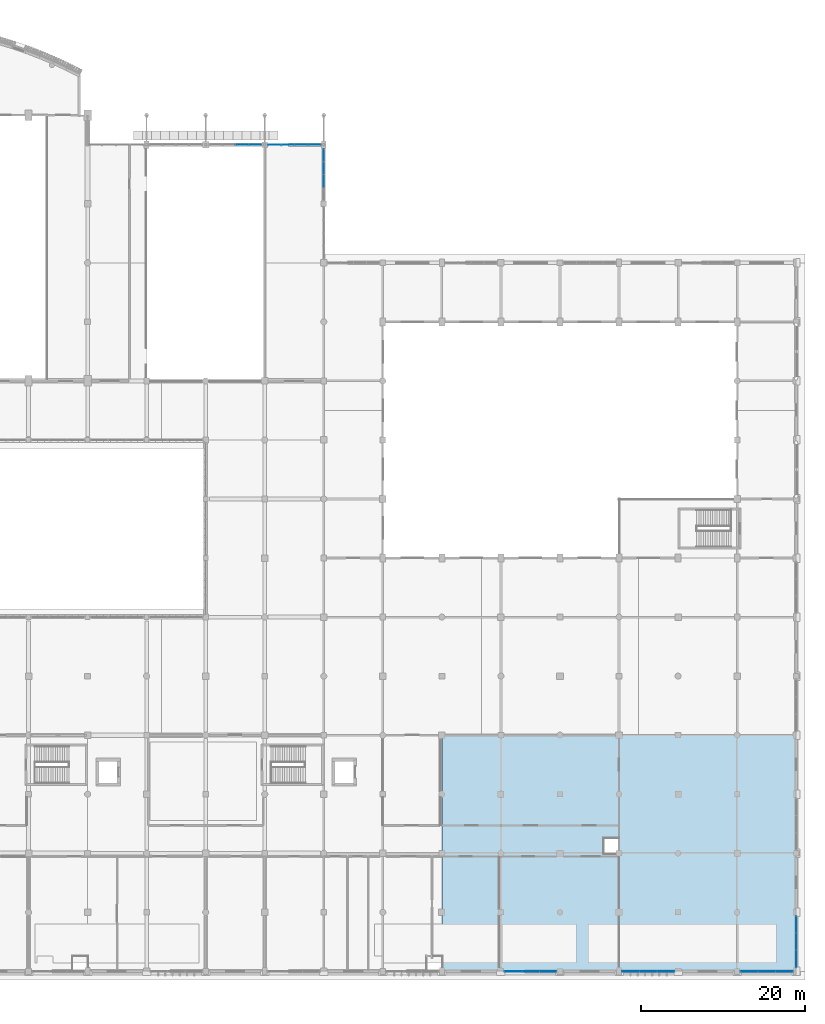
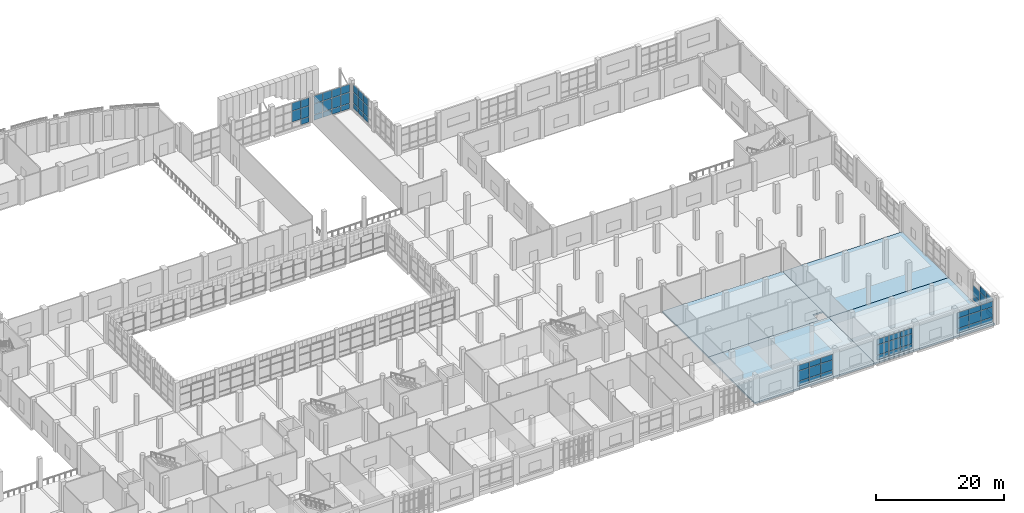
# One storey, part 42 of 80: 61 plates, 4 slabs, 7 elements without a shape of their own.
"""IFC4 building model written with IfcOpenShell, lengths in metres."""

from ifc_helpers import new_model, si_unit, direction, frame, origin, origin_2d, place, context, subcontext, project, spatial, polyline, rectangle, outline, extrude, material, layer, layer_set, type_object, element, aggregate, save


model = new_model("IFC4")

# Units and contexts
model_context = context("Model", 3, precision=1e-05, world=origin(), true_north=direction((0.0, 1.0)))
body_context = subcontext(model_context, "Body", "Model", "MODEL_VIEW")
ifc_project = project(units=[si_unit("LENGTHUNIT", "METRE"), si_unit("AREAUNIT", "SQUARE_METRE"), si_unit("VOLUMEUNIT", "CUBIC_METRE"), si_unit("PLANEANGLEUNIT", "RADIAN"), si_unit("MASSUNIT", "GRAM", prefix="KILO")], contexts=[model_context])

# Site, building, storey
site_placement = place(None, origin())
site = spatial("IfcSite", under=ifc_project, at=site_placement, CompositionType="ELEMENT")
building_placement = place(site_placement, origin())
building = spatial("IfcBuilding", under=site, at=building_placement, Name="Sardonyx Promenade Sports Hall", CompositionType="ELEMENT")
storey_placement = place(building_placement, frame((0.0, 0.0, 5.60009765625)))
storey = spatial("IfcBuildingStorey", under=building, at=storey_placement, Name="L01", CompositionType="ELEMENT", Elevation=5.60009765625)

# Curtain wall, plates
ifc_material_1 = material(Name="Aluminium 6063-T6", Category="aluminium")
curtain_wall_type_1 = type_object("IfcCurtainWallType", Name="CW_South_L01_640", PredefinedType="USERDEFINED", material=ifc_material_1)
curtain_wall_1_placement = place(storey_placement, origin())
curtain_wall_1 = element("IfcCurtainWall", 1, at=curtain_wall_1_placement, inside=storey, type_object=curtain_wall_type_1, Name="Curtain wall CW08 cw:L01:017", ObjectType="CURTAIN WALL", PredefinedType="USERDEFINED")
ifc_material_2 = material(Name="Double-glazed solar low-E IGU 28 mm", Category="glass")
ifc_layer_1 = layer(ifc_material_2, 0.028076171875)
ifc_layer_set_1 = layer_set([ifc_layer_1], Name="CW_Pan_Glz_28")
plate_type_1 = type_object("IfcPlateType", Name="CW_Pan_Glz_28", PredefinedType="CURTAIN_PANEL", material=ifc_layer_set_1)
plate_1_placement = place(storey_placement, frame((164.171630859375, 0.0, 0.419921875), z_axis=(0.0, 0.0, 1.0), x_axis=(-1.0, 0.0, 0.0)))
plate_1 = element("IfcPlate", 2, at=plate_1_placement, type_object=plate_type_1, Name="Curtain panel CP01 cw:L01:017 #1", PredefinedType="CURTAIN_PANEL", context=body_context, shape_type="SweptSolid", body=[
    extrude(rectangle(XDim=2.07666015625, YDim=0.028076171875, at=origin_2d()), origin(), (0.0, 0.0, 1.0), 0.89501953125),
])
plate_2_placement = place(storey_placement, frame((164.171630859375, 0.0, 1.385009765625), z_axis=(0.0, 0.0, 1.0), x_axis=(-1.0, 0.0, 0.0)))
plate_2 = element("IfcPlate", 3, at=plate_2_placement, type_object=plate_type_1, Name="Curtain panel CP01 cw:L01:017 #2", PredefinedType="CURTAIN_PANEL", context=body_context, shape_type="SweptSolid", body=[
    extrude(rectangle(XDim=2.07666015625, YDim=0.028076171875, at=origin_2d()), origin(), (0.0, 0.0, 1.0), 1.8798828125),
])
plate_3_placement = place(storey_placement, frame((164.171630859375, 0.0, 3.3349609375), z_axis=(0.0, 0.0, 1.0), x_axis=(-1.0, 0.0, 0.0)))
plate_3 = element("IfcPlate", 4, at=plate_3_placement, type_object=plate_type_1, Name="Curtain panel CP01 cw:L01:017 #3", PredefinedType="CURTAIN_PANEL", context=body_context, shape_type="SweptSolid", body=[
    extrude(rectangle(XDim=2.07666015625, YDim=0.028076171875, at=origin_2d()), origin(), (0.0, 0.0, 1.0), 1.044921875),
])
plate_4_placement = place(storey_placement, frame((162.02490234375, 0.0, 0.419921875), z_axis=(0.0, 0.0, 1.0), x_axis=(-1.0, 0.0, 0.0)))
plate_4 = element("IfcPlate", 5, at=plate_4_placement, type_object=plate_type_1, Name="Curtain panel CP01 cw:L01:017 #4", PredefinedType="CURTAIN_PANEL", context=body_context, shape_type="SweptSolid", body=[
    extrude(rectangle(XDim=2.07666015625, YDim=0.028076171875, at=origin_2d()), origin(), (0.0, 0.0, 1.0), 0.89501953125),
])
plate_5_placement = place(storey_placement, frame((162.02490234375, 0.0, 1.385009765625), z_axis=(0.0, 0.0, 1.0), x_axis=(-1.0, 0.0, 0.0)))
plate_5 = element("IfcPlate", 6, at=plate_5_placement, type_object=plate_type_1, Name="Curtain panel CP01 cw:L01:017 #5", PredefinedType="CURTAIN_PANEL", context=body_context, shape_type="SweptSolid", body=[
    extrude(rectangle(XDim=2.07666015625, YDim=0.028076171875, at=origin_2d()), origin(), (0.0, 0.0, 1.0), 1.8798828125),
])
plate_6_placement = place(storey_placement, frame((162.02490234375, 0.0, 3.3349609375), z_axis=(0.0, 0.0, 1.0), x_axis=(-1.0, 0.0, 0.0)))
plate_6 = element("IfcPlate", 7, at=plate_6_placement, type_object=plate_type_1, Name="Curtain panel CP01 cw:L01:017 #6", PredefinedType="CURTAIN_PANEL", context=body_context, shape_type="SweptSolid", body=[
    extrude(rectangle(XDim=2.07666015625, YDim=0.028076171875, at=origin_2d()), origin(), (0.0, 0.0, 1.0), 1.044921875),
])
plate_7_placement = place(storey_placement, frame((159.87841796875, 0.0, 0.419921875), z_axis=(0.0, 0.0, 1.0), x_axis=(-1.0, 0.0, 0.0)))
plate_7 = element("IfcPlate", 8, at=plate_7_placement, type_object=plate_type_1, Name="Curtain panel CP01 cw:L01:017 #7", PredefinedType="CURTAIN_PANEL", context=body_context, shape_type="SweptSolid", body=[
    extrude(rectangle(XDim=2.07666015625, YDim=0.028076171875, at=origin_2d()), origin(), (0.0, 0.0, 1.0), 0.89501953125),
])
plate_8_placement = place(storey_placement, frame((159.87841796875, 0.0, 1.385009765625), z_axis=(0.0, 0.0, 1.0), x_axis=(-1.0, 0.0, 0.0)))
plate_8 = element("IfcPlate", 9, at=plate_8_placement, type_object=plate_type_1, Name="Curtain panel CP01 cw:L01:017 #8", PredefinedType="CURTAIN_PANEL", context=body_context, shape_type="SweptSolid", body=[
    extrude(rectangle(XDim=2.07666015625, YDim=0.028076171875, at=origin_2d()), origin(), (0.0, 0.0, 1.0), 1.8798828125),
])
plate_9_placement = place(storey_placement, frame((159.87841796875, 0.0, 3.3349609375), z_axis=(0.0, 0.0, 1.0), x_axis=(-1.0, 0.0, 0.0)))
plate_9 = element("IfcPlate", 10, at=plate_9_placement, type_object=plate_type_1, Name="Curtain panel CP01 cw:L01:017 #9", PredefinedType="CURTAIN_PANEL", context=body_context, shape_type="SweptSolid", body=[
    extrude(rectangle(XDim=2.07666015625, YDim=0.028076171875, at=origin_2d()), origin(), (0.0, 0.0, 1.0), 1.044921875),
])
aggregate(curtain_wall_1, [plate_1, plate_2, plate_3, plate_4, plate_5, plate_6, plate_7, plate_8, plate_9])

curtain_wall_2_placement = place(storey_placement, origin())
curtain_wall_2 = element("IfcCurtainWall", 11, at=curtain_wall_2_placement, inside=storey, type_object=curtain_wall_type_1, Name="Curtain wall CW08 cw:L01:018", ObjectType="CURTAIN WALL", PredefinedType="USERDEFINED")
plate_10_placement = place(storey_placement, frame((149.679931640625, 0.0, 0.419921875), z_axis=(0.0, 0.0, 1.0), x_axis=(-1.0, 0.0, 0.0)))
plate_10 = element("IfcPlate", 12, at=plate_10_placement, type_object=plate_type_1, Name="Curtain panel CP01 cw:L01:018 #1", PredefinedType="CURTAIN_PANEL", context=body_context, shape_type="SweptSolid", body=[
    extrude(rectangle(XDim=2.06005859375, YDim=0.028076171875, at=origin_2d()), origin(), (0.0, 0.0, 1.0), 0.89501953125),
])
plate_11_placement = place(storey_placement, frame((149.679931640625, 0.0, 1.385009765625), z_axis=(0.0, 0.0, 1.0), x_axis=(-1.0, 0.0, 0.0)))
plate_11 = element("IfcPlate", 13, at=plate_11_placement, type_object=plate_type_1, Name="Curtain panel CP01 cw:L01:018 #2", PredefinedType="CURTAIN_PANEL", context=body_context, shape_type="SweptSolid", body=[
    extrude(rectangle(XDim=2.06005859375, YDim=0.028076171875, at=origin_2d()), origin(), (0.0, 0.0, 1.0), 1.8798828125),
])
plate_12_placement = place(storey_placement, frame((149.679931640625, 0.0, 3.3349609375), z_axis=(0.0, 0.0, 1.0), x_axis=(-1.0, 0.0, 0.0)))
plate_12 = element("IfcPlate", 14, at=plate_12_placement, type_object=plate_type_1, Name="Curtain panel CP01 cw:L01:018 #3", PredefinedType="CURTAIN_PANEL", context=body_context, shape_type="SweptSolid", body=[
    extrude(rectangle(XDim=2.06005859375, YDim=0.028076171875, at=origin_2d()), origin(), (0.0, 0.0, 1.0), 1.044921875),
])
plate_13_placement = place(storey_placement, frame((147.550048828125, 0.0, 0.419921875), z_axis=(0.0, 0.0, 1.0), x_axis=(-1.0, 0.0, 0.0)))
plate_13 = element("IfcPlate", 15, at=plate_13_placement, type_object=plate_type_1, Name="Curtain panel CP01 cw:L01:018 #4", PredefinedType="CURTAIN_PANEL", context=body_context, shape_type="SweptSolid", body=[
    extrude(rectangle(XDim=2.06005859375, YDim=0.028076171875, at=origin_2d()), origin(), (0.0, 0.0, 1.0), 0.89501953125),
])
plate_14_placement = place(storey_placement, frame((147.550048828125, 0.0, 1.385009765625), z_axis=(0.0, 0.0, 1.0), x_axis=(-1.0, 0.0, 0.0)))
plate_14 = element("IfcPlate", 16, at=plate_14_placement, type_object=plate_type_1, Name="Curtain panel CP01 cw:L01:018 #5", PredefinedType="CURTAIN_PANEL", context=body_context, shape_type="SweptSolid", body=[
    extrude(rectangle(XDim=2.06005859375, YDim=0.028076171875, at=origin_2d()), origin(), (0.0, 0.0, 1.0), 1.8798828125),
])
plate_15_placement = place(storey_placement, frame((147.550048828125, 0.0, 3.3349609375), z_axis=(0.0, 0.0, 1.0), x_axis=(-1.0, 0.0, 0.0)))
plate_15 = element("IfcPlate", 17, at=plate_15_placement, type_object=plate_type_1, Name="Curtain panel CP01 cw:L01:018 #6", PredefinedType="CURTAIN_PANEL", context=body_context, shape_type="SweptSolid", body=[
    extrude(rectangle(XDim=2.06005859375, YDim=0.028076171875, at=origin_2d()), origin(), (0.0, 0.0, 1.0), 1.044921875),
])
plate_16_placement = place(storey_placement, frame((145.419921875, 0.0, 0.419921875), z_axis=(0.0, 0.0, 1.0), x_axis=(-1.0, 0.0, 0.0)))
plate_16 = element("IfcPlate", 18, at=plate_16_placement, type_object=plate_type_1, Name="Curtain panel CP01 cw:L01:018 #7", PredefinedType="CURTAIN_PANEL", context=body_context, shape_type="SweptSolid", body=[
    extrude(rectangle(XDim=2.06005859375, YDim=0.028076171875, at=origin_2d()), origin(), (0.0, 0.0, 1.0), 0.89501953125),
])
plate_17_placement = place(storey_placement, frame((145.419921875, 0.0, 1.385009765625), z_axis=(0.0, 0.0, 1.0), x_axis=(-1.0, 0.0, 0.0)))
plate_17 = element("IfcPlate", 19, at=plate_17_placement, type_object=plate_type_1, Name="Curtain panel CP01 cw:L01:018 #8", PredefinedType="CURTAIN_PANEL", context=body_context, shape_type="SweptSolid", body=[
    extrude(rectangle(XDim=2.06005859375, YDim=0.028076171875, at=origin_2d()), origin(), (0.0, 0.0, 1.0), 1.8798828125),
])
plate_18_placement = place(storey_placement, frame((145.419921875, 0.0, 3.3349609375), z_axis=(0.0, 0.0, 1.0), x_axis=(-1.0, 0.0, 0.0)))
plate_18 = element("IfcPlate", 20, at=plate_18_placement, type_object=plate_type_1, Name="Curtain panel CP01 cw:L01:018 #9", PredefinedType="CURTAIN_PANEL", context=body_context, shape_type="SweptSolid", body=[
    extrude(rectangle(XDim=2.06005859375, YDim=0.028076171875, at=origin_2d()), origin(), (0.0, 0.0, 1.0), 1.044921875),
])
aggregate(curtain_wall_2, [plate_10, plate_11, plate_12, plate_13, plate_14, plate_15, plate_16, plate_17, plate_18])

curtain_wall_3_placement = place(storey_placement, origin())
curtain_wall_3 = element("IfcCurtainWall", 21, at=curtain_wall_3_placement, inside=storey, type_object=curtain_wall_type_1, Name="Curtain wall CW08 cw:L01:019", ObjectType="CURTAIN WALL", PredefinedType="USERDEFINED")
plate_19_placement = place(storey_placement, frame((135.33837890625, 0.0, 0.419921875), z_axis=(0.0, 0.0, 1.0), x_axis=(-1.0, 0.0, 0.0)))
plate_19 = element("IfcPlate", 22, at=plate_19_placement, type_object=plate_type_1, Name="Curtain panel CP01 cw:L01:019 #1", PredefinedType="CURTAIN_PANEL", context=body_context, shape_type="SweptSolid", body=[
    extrude(rectangle(XDim=2.043212890625, YDim=0.028076171875, at=origin_2d()), origin(), (0.0, 0.0, 1.0), 0.89501953125),
])
plate_20_placement = place(storey_placement, frame((135.33837890625, 0.0, 1.385009765625), z_axis=(0.0, 0.0, 1.0), x_axis=(-1.0, 0.0, 0.0)))
plate_20 = element("IfcPlate", 23, at=plate_20_placement, type_object=plate_type_1, Name="Curtain panel CP01 cw:L01:019 #2", PredefinedType="CURTAIN_PANEL", context=body_context, shape_type="SweptSolid", body=[
    extrude(rectangle(XDim=2.043212890625, YDim=0.028076171875, at=origin_2d()), origin(), (0.0, 0.0, 1.0), 1.8798828125),
])
plate_21_placement = place(storey_placement, frame((135.33837890625, 0.0, 3.3349609375), z_axis=(0.0, 0.0, 1.0), x_axis=(-1.0, 0.0, 0.0)))
plate_21 = element("IfcPlate", 24, at=plate_21_placement, type_object=plate_type_1, Name="Curtain panel CP01 cw:L01:019 #3", PredefinedType="CURTAIN_PANEL", context=body_context, shape_type="SweptSolid", body=[
    extrude(rectangle(XDim=2.043212890625, YDim=0.028076171875, at=origin_2d()), origin(), (0.0, 0.0, 1.0), 1.044921875),
])
plate_22_placement = place(storey_placement, frame((133.22509765625, 0.0, 0.419921875), z_axis=(0.0, 0.0, 1.0), x_axis=(-1.0, 0.0, 0.0)))
plate_22 = element("IfcPlate", 25, at=plate_22_placement, type_object=plate_type_1, Name="Curtain panel CP01 cw:L01:019 #4", PredefinedType="CURTAIN_PANEL", context=body_context, shape_type="SweptSolid", body=[
    extrude(rectangle(XDim=2.043212890625, YDim=0.028076171875, at=origin_2d()), origin(), (0.0, 0.0, 1.0), 0.89501953125),
])
plate_23_placement = place(storey_placement, frame((133.22509765625, 0.0, 1.385009765625), z_axis=(0.0, 0.0, 1.0), x_axis=(-1.0, 0.0, 0.0)))
plate_23 = element("IfcPlate", 26, at=plate_23_placement, type_object=plate_type_1, Name="Curtain panel CP01 cw:L01:019 #5", PredefinedType="CURTAIN_PANEL", context=body_context, shape_type="SweptSolid", body=[
    extrude(rectangle(XDim=2.043212890625, YDim=0.028076171875, at=origin_2d()), origin(), (0.0, 0.0, 1.0), 1.8798828125),
])
plate_24_placement = place(storey_placement, frame((133.22509765625, 0.0, 3.3349609375), z_axis=(0.0, 0.0, 1.0), x_axis=(-1.0, 0.0, 0.0)))
plate_24 = element("IfcPlate", 27, at=plate_24_placement, type_object=plate_type_1, Name="Curtain panel CP01 cw:L01:019 #6", PredefinedType="CURTAIN_PANEL", context=body_context, shape_type="SweptSolid", body=[
    extrude(rectangle(XDim=2.043212890625, YDim=0.028076171875, at=origin_2d()), origin(), (0.0, 0.0, 1.0), 1.044921875),
])
plate_25_placement = place(storey_placement, frame((131.111572265625, 0.0, 0.419921875), z_axis=(0.0, 0.0, 1.0), x_axis=(-1.0, 0.0, 0.0)))
plate_25 = element("IfcPlate", 28, at=plate_25_placement, type_object=plate_type_1, Name="Curtain panel CP01 cw:L01:019 #7", PredefinedType="CURTAIN_PANEL", context=body_context, shape_type="SweptSolid", body=[
    extrude(rectangle(XDim=2.043212890625, YDim=0.028076171875, at=origin_2d()), origin(), (0.0, 0.0, 1.0), 0.89501953125),
])
plate_26_placement = place(storey_placement, frame((131.111572265625, 0.0, 1.385009765625), z_axis=(0.0, 0.0, 1.0), x_axis=(-1.0, 0.0, 0.0)))
plate_26 = element("IfcPlate", 29, at=plate_26_placement, type_object=plate_type_1, Name="Curtain panel CP01 cw:L01:019 #8", PredefinedType="CURTAIN_PANEL", context=body_context, shape_type="SweptSolid", body=[
    extrude(rectangle(XDim=2.043212890625, YDim=0.028076171875, at=origin_2d()), origin(), (0.0, 0.0, 1.0), 1.8798828125),
])
plate_27_placement = place(storey_placement, frame((131.111572265625, 0.0, 3.3349609375), z_axis=(0.0, 0.0, 1.0), x_axis=(-1.0, 0.0, 0.0)))
plate_27 = element("IfcPlate", 30, at=plate_27_placement, type_object=plate_type_1, Name="Curtain panel CP01 cw:L01:019 #9", PredefinedType="CURTAIN_PANEL", context=body_context, shape_type="SweptSolid", body=[
    extrude(rectangle(XDim=2.043212890625, YDim=0.028076171875, at=origin_2d()), origin(), (0.0, 0.0, 1.0), 1.044921875),
])
aggregate(curtain_wall_3, [plate_19, plate_20, plate_21, plate_22, plate_23, plate_24, plate_25, plate_26, plate_27])

ifc_material_3 = material(Name="Aluminium 6063-T6", Category="aluminium")
curtain_wall_type_2 = type_object("IfcCurtainWallType", Name="CW_EastWing_L01", PredefinedType="USERDEFINED", material=ifc_material_3)
curtain_wall_4_placement = place(storey_placement, origin())
curtain_wall_4 = element("IfcCurtainWall", 31, at=curtain_wall_4_placement, inside=storey, type_object=curtain_wall_type_2, Name="Curtain wall CW15 cw:L01:055", ObjectType="CURTAIN WALL", PredefinedType="USERDEFINED")
plate_28_placement = place(storey_placement, frame((165.60009765625, 5.706787109375, 0.414794921875), z_axis=(0.0, 0.0, 1.0), x_axis=(0.0, -1.0, 0.0)))
plate_28 = element("IfcPlate", 32, at=plate_28_placement, type_object=plate_type_1, Name="Curtain panel CP01 cw:L01:055 #1", PredefinedType="CURTAIN_PANEL", context=body_context, shape_type="SweptSolid", body=[
    extrude(rectangle(XDim=2.0166015625, YDim=0.028076171875, at=origin_2d()), origin(), (0.0, 0.0, 1.0), 0.8525390625),
])
plate_29_placement = place(storey_placement, frame((165.60009765625, 5.706787109375, 1.33251953125), z_axis=(0.0, 0.0, 1.0), x_axis=(0.0, -1.0, 0.0)))
plate_29 = element("IfcPlate", 33, at=plate_29_placement, type_object=plate_type_1, Name="Curtain panel CP01 cw:L01:055 #2", PredefinedType="CURTAIN_PANEL", context=body_context, shape_type="SweptSolid", body=[
    extrude(rectangle(XDim=2.0166015625, YDim=0.028076171875, at=origin_2d()), origin(), (0.0, 0.0, 1.0), 1.8349609375),
])
plate_30_placement = place(storey_placement, frame((165.60009765625, 3.625, 0.414794921875), z_axis=(0.0, 0.0, 1.0), x_axis=(0.0, -1.0, 0.0)))
plate_30 = element("IfcPlate", 34, at=plate_30_placement, type_object=plate_type_1, Name="Curtain panel CP01 cw:L01:055 #4", PredefinedType="CURTAIN_PANEL", context=body_context, shape_type="SweptSolid", body=[
    extrude(rectangle(XDim=2.0166015625, YDim=0.028076171875, at=origin_2d()), origin(), (0.0, 0.0, 1.0), 0.8525390625),
])
plate_31_placement = place(storey_placement, frame((165.60009765625, 3.625, 1.33251953125), z_axis=(0.0, 0.0, 1.0), x_axis=(0.0, -1.0, 0.0)))
plate_31 = element("IfcPlate", 35, at=plate_31_placement, type_object=plate_type_1, Name="Curtain panel CP01 cw:L01:055 #5", PredefinedType="CURTAIN_PANEL", context=body_context, shape_type="SweptSolid", body=[
    extrude(rectangle(XDim=2.0166015625, YDim=0.028076171875, at=origin_2d()), origin(), (0.0, 0.0, 1.0), 1.8349609375),
])
plate_32_placement = place(storey_placement, frame((165.60009765625, 3.625, 3.232421875), z_axis=(0.0, 0.0, 1.0), x_axis=(0.0, -1.0, 0.0)))
plate_32 = element("IfcPlate", 36, at=plate_32_placement, type_object=plate_type_1, Name="Curtain panel CP01 cw:L01:055 #6", PredefinedType="CURTAIN_PANEL", context=body_context, shape_type="SweptSolid", body=[
    extrude(rectangle(XDim=2.0166015625, YDim=0.028076171875, at=origin_2d()), origin(), (0.0, 0.0, 1.0), 1.1025390625),
])
plate_33_placement = place(storey_placement, frame((165.60009765625, 1.543212890625, 0.414794921875), z_axis=(0.0, 0.0, 1.0), x_axis=(0.0, -1.0, 0.0)))
plate_33 = element("IfcPlate", 37, at=plate_33_placement, type_object=plate_type_1, Name="Curtain panel CP01 cw:L01:055 #7", PredefinedType="CURTAIN_PANEL", context=body_context, shape_type="SweptSolid", body=[
    extrude(rectangle(XDim=2.0166015625, YDim=0.028076171875, at=origin_2d()), origin(), (0.0, 0.0, 1.0), 0.8525390625),
])
plate_34_placement = place(storey_placement, frame((165.60009765625, 1.543212890625, 1.33251953125), z_axis=(0.0, 0.0, 1.0), x_axis=(0.0, -1.0, 0.0)))
plate_34 = element("IfcPlate", 38, at=plate_34_placement, type_object=plate_type_1, Name="Curtain panel CP01 cw:L01:055 #8", PredefinedType="CURTAIN_PANEL", context=body_context, shape_type="SweptSolid", body=[
    extrude(rectangle(XDim=2.0166015625, YDim=0.028076171875, at=origin_2d()), origin(), (0.0, 0.0, 1.0), 1.8349609375),
])
plate_35_placement = place(storey_placement, frame((165.60009765625, 1.543212890625, 3.232421875), z_axis=(0.0, 0.0, 1.0), x_axis=(0.0, -1.0, 0.0)))
plate_35 = element("IfcPlate", 39, at=plate_35_placement, type_object=plate_type_1, Name="Curtain panel CP01 cw:L01:055 #9", PredefinedType="CURTAIN_PANEL", context=body_context, shape_type="SweptSolid", body=[
    extrude(rectangle(XDim=2.0166015625, YDim=0.028076171875, at=origin_2d()), origin(), (0.0, 0.0, 1.0), 1.1025390625),
])
aggregate(curtain_wall_4, [plate_28, plate_29, plate_30, plate_31, plate_32, plate_33, plate_34, plate_35])

ifc_material_4 = material(Name="Aluminium 6063-T6", Category="aluminium")
curtain_wall_type_3 = type_object("IfcCurtainWallType", Name="CW_Foyer_L01_Tall", PredefinedType="USERDEFINED", material=ifc_material_4)
curtain_wall_5_placement = place(storey_placement, origin())
curtain_wall_5 = element("IfcCurtainWall", 40, at=curtain_wall_5_placement, inside=storey, type_object=curtain_wall_type_3, Name="Curtain wall CW02 cw:L01:091", ObjectType="CURTAIN WALL", PredefinedType="USERDEFINED")
ifc_material_5 = material(Name="Triple-glazed harbour solar IGU 40 mm", Category="glass")
ifc_layer_2 = layer(ifc_material_5, 0.0400390625)
ifc_layer_set_2 = layer_set([ifc_layer_2], Name="CW_Pan_Glz_40")
plate_type_2 = type_object("IfcPlateType", Name="CW_Pan_Glz_40", PredefinedType="CURTAIN_PANEL", material=ifc_layer_set_2)
plate_36_placement = place(storey_placement, frame((98.016845703125, 100.800048828125, 1.137451171875), z_axis=(0.0, 0.0, 1.0), x_axis=(1.0, 0.0, 0.0)))
plate_36 = element("IfcPlate", 41, at=plate_36_placement, type_object=plate_type_2, Name="Curtain panel CP04 cw:L01:091 #8", PredefinedType="CURTAIN_PANEL", context=body_context, shape_type="SweptSolid", body=[
    extrude(rectangle(XDim=1.5087890625, YDim=0.0400390625, at=origin_2d()), origin(), (0.0, 0.0, 1.0), 2.02490234375),
])
plate_37_placement = place(storey_placement, frame((98.016845703125, 100.800048828125, 3.2373046875), z_axis=(0.0, 0.0, 1.0), x_axis=(1.0, 0.0, 0.0)))
plate_37 = element("IfcPlate", 42, at=plate_37_placement, type_object=plate_type_2, Name="Curtain panel CP04 cw:L01:091 #9", PredefinedType="CURTAIN_PANEL", context=body_context, shape_type="SweptSolid", body=[
    extrude(rectangle(XDim=1.5087890625, YDim=0.0400390625, at=origin_2d()), origin(), (0.0, 0.0, 1.0), 1.487548828125),
])
plate_38_placement = place(storey_placement, frame((99.6005859375, 100.800048828125, 0.07470703125), z_axis=(0.0, 0.0, 1.0), x_axis=(1.0, 0.0, 0.0)))
plate_38 = element("IfcPlate", 43, at=plate_38_placement, type_object=plate_type_2, Name="Curtain panel CP04 cw:L01:091 #10", PredefinedType="CURTAIN_PANEL", context=body_context, shape_type="SweptSolid", body=[
    extrude(rectangle(XDim=1.5087890625, YDim=0.0400390625, at=origin_2d()), origin(), (0.0, 0.0, 1.0), 0.987548828125),
])
plate_39_placement = place(storey_placement, frame((99.6005859375, 100.800048828125, 1.137451171875), z_axis=(0.0, 0.0, 1.0), x_axis=(1.0, 0.0, 0.0)))
plate_39 = element("IfcPlate", 44, at=plate_39_placement, type_object=plate_type_2, Name="Curtain panel CP04 cw:L01:091 #11", PredefinedType="CURTAIN_PANEL", context=body_context, shape_type="SweptSolid", body=[
    extrude(rectangle(XDim=1.5087890625, YDim=0.0400390625, at=origin_2d()), origin(), (0.0, 0.0, 1.0), 2.02490234375),
])
plate_40_placement = place(storey_placement, frame((99.6005859375, 100.800048828125, 3.2373046875), z_axis=(0.0, 0.0, 1.0), x_axis=(1.0, 0.0, 0.0)))
plate_40 = element("IfcPlate", 45, at=plate_40_placement, type_object=plate_type_2, Name="Curtain panel CP04 cw:L01:091 #12", PredefinedType="CURTAIN_PANEL", context=body_context, shape_type="SweptSolid", body=[
    extrude(rectangle(XDim=1.5087890625, YDim=0.0400390625, at=origin_2d()), origin(), (0.0, 0.0, 1.0), 1.487548828125),
])
aggregate(curtain_wall_5, [plate_36, plate_37, plate_38, plate_39, plate_40])

curtain_wall_6_placement = place(storey_placement, origin())
curtain_wall_6 = element("IfcCurtainWall", 46, at=curtain_wall_6_placement, inside=storey, type_object=curtain_wall_type_3, Name="Curtain wall CW02 cw:L01:092", ObjectType="CURTAIN WALL", PredefinedType="USERDEFINED")
plate_41_placement = place(storey_placement, frame((102.011962890625, 100.800048828125, 0.07470703125), z_axis=(0.0, 0.0, 1.0), x_axis=(1.0, 0.0, 0.0)))
plate_41 = element("IfcPlate", 47, at=plate_41_placement, type_object=plate_type_2, Name="Curtain panel CP04 cw:L01:092 #1", PredefinedType="CURTAIN_PANEL", context=body_context, shape_type="SweptSolid", body=[
    extrude(rectangle(XDim=1.53369140625, YDim=0.0400390625, at=origin_2d()), origin(), (0.0, 0.0, 1.0), 0.987548828125),
])
plate_42_placement = place(storey_placement, frame((102.011962890625, 100.800048828125, 1.137451171875), z_axis=(0.0, 0.0, 1.0), x_axis=(1.0, 0.0, 0.0)))
plate_42 = element("IfcPlate", 48, at=plate_42_placement, type_object=plate_type_2, Name="Curtain panel CP04 cw:L01:092 #2", PredefinedType="CURTAIN_PANEL", context=body_context, shape_type="SweptSolid", body=[
    extrude(rectangle(XDim=1.53369140625, YDim=0.0400390625, at=origin_2d()), origin(), (0.0, 0.0, 1.0), 2.02490234375),
])
plate_43_placement = place(storey_placement, frame((102.011962890625, 100.800048828125, 3.2373046875), z_axis=(0.0, 0.0, 1.0), x_axis=(1.0, 0.0, 0.0)))
plate_43 = element("IfcPlate", 49, at=plate_43_placement, type_object=plate_type_2, Name="Curtain panel CP04 cw:L01:092 #3", PredefinedType="CURTAIN_PANEL", context=body_context, shape_type="SweptSolid", body=[
    extrude(rectangle(XDim=1.53369140625, YDim=0.0400390625, at=origin_2d()), origin(), (0.0, 0.0, 1.0), 1.487548828125),
])
plate_44_placement = place(storey_placement, frame((103.62060546875, 100.800048828125, 0.07470703125), z_axis=(0.0, 0.0, 1.0), x_axis=(1.0, 0.0, 0.0)))
plate_44 = element("IfcPlate", 50, at=plate_44_placement, type_object=plate_type_2, Name="Curtain panel CP04 cw:L01:092 #4", PredefinedType="CURTAIN_PANEL", context=body_context, shape_type="SweptSolid", body=[
    extrude(rectangle(XDim=1.53369140625, YDim=0.0400390625, at=origin_2d()), origin(), (0.0, 0.0, 1.0), 0.987548828125),
])
plate_45_placement = place(storey_placement, frame((103.62060546875, 100.800048828125, 1.137451171875), z_axis=(0.0, 0.0, 1.0), x_axis=(1.0, 0.0, 0.0)))
plate_45 = element("IfcPlate", 51, at=plate_45_placement, type_object=plate_type_2, Name="Curtain panel CP04 cw:L01:092 #5", PredefinedType="CURTAIN_PANEL", context=body_context, shape_type="SweptSolid", body=[
    extrude(rectangle(XDim=1.53369140625, YDim=0.0400390625, at=origin_2d()), origin(), (0.0, 0.0, 1.0), 2.02490234375),
])
plate_46_placement = place(storey_placement, frame((103.62060546875, 100.800048828125, 3.2373046875), z_axis=(0.0, 0.0, 1.0), x_axis=(1.0, 0.0, 0.0)))
plate_46 = element("IfcPlate", 52, at=plate_46_placement, type_object=plate_type_2, Name="Curtain panel CP04 cw:L01:092 #6", PredefinedType="CURTAIN_PANEL", context=body_context, shape_type="SweptSolid", body=[
    extrude(rectangle(XDim=1.53369140625, YDim=0.0400390625, at=origin_2d()), origin(), (0.0, 0.0, 1.0), 1.487548828125),
])
plate_47_placement = place(storey_placement, frame((105.2294921875, 100.800048828125, 0.07470703125), z_axis=(0.0, 0.0, 1.0), x_axis=(1.0, 0.0, 0.0)))
plate_47 = element("IfcPlate", 53, at=plate_47_placement, type_object=plate_type_2, Name="Curtain panel CP04 cw:L01:092 #7", PredefinedType="CURTAIN_PANEL", context=body_context, shape_type="SweptSolid", body=[
    extrude(rectangle(XDim=1.53369140625, YDim=0.0400390625, at=origin_2d()), origin(), (0.0, 0.0, 1.0), 0.987548828125),
])
plate_48_placement = place(storey_placement, frame((105.2294921875, 100.800048828125, 1.137451171875), z_axis=(0.0, 0.0, 1.0), x_axis=(1.0, 0.0, 0.0)))
plate_48 = element("IfcPlate", 54, at=plate_48_placement, type_object=plate_type_2, Name="Curtain panel CP04 cw:L01:092 #8", PredefinedType="CURTAIN_PANEL", context=body_context, shape_type="SweptSolid", body=[
    extrude(rectangle(XDim=1.53369140625, YDim=0.0400390625, at=origin_2d()), origin(), (0.0, 0.0, 1.0), 2.02490234375),
])
plate_49_placement = place(storey_placement, frame((105.2294921875, 100.800048828125, 3.2373046875), z_axis=(0.0, 0.0, 1.0), x_axis=(1.0, 0.0, 0.0)))
plate_49 = element("IfcPlate", 55, at=plate_49_placement, type_object=plate_type_2, Name="Curtain panel CP04 cw:L01:092 #9", PredefinedType="CURTAIN_PANEL", context=body_context, shape_type="SweptSolid", body=[
    extrude(rectangle(XDim=1.53369140625, YDim=0.0400390625, at=origin_2d()), origin(), (0.0, 0.0, 1.0), 1.487548828125),
])
plate_50_placement = place(storey_placement, frame((106.838134765625, 100.800048828125, 0.07470703125), z_axis=(0.0, 0.0, 1.0), x_axis=(1.0, 0.0, 0.0)))
plate_50 = element("IfcPlate", 56, at=plate_50_placement, type_object=plate_type_2, Name="Curtain panel CP04 cw:L01:092 #10", PredefinedType="CURTAIN_PANEL", context=body_context, shape_type="SweptSolid", body=[
    extrude(rectangle(XDim=1.53369140625, YDim=0.0400390625, at=origin_2d()), origin(), (0.0, 0.0, 1.0), 0.987548828125),
])
plate_51_placement = place(storey_placement, frame((106.838134765625, 100.800048828125, 1.137451171875), z_axis=(0.0, 0.0, 1.0), x_axis=(1.0, 0.0, 0.0)))
plate_51 = element("IfcPlate", 57, at=plate_51_placement, type_object=plate_type_2, Name="Curtain panel CP04 cw:L01:092 #11", PredefinedType="CURTAIN_PANEL", context=body_context, shape_type="SweptSolid", body=[
    extrude(rectangle(XDim=1.53369140625, YDim=0.0400390625, at=origin_2d()), origin(), (0.0, 0.0, 1.0), 2.02490234375),
])
plate_52_placement = place(storey_placement, frame((106.838134765625, 100.800048828125, 3.2373046875), z_axis=(0.0, 0.0, 1.0), x_axis=(1.0, 0.0, 0.0)))
plate_52 = element("IfcPlate", 58, at=plate_52_placement, type_object=plate_type_2, Name="Curtain panel CP04 cw:L01:092 #12", PredefinedType="CURTAIN_PANEL", context=body_context, shape_type="SweptSolid", body=[
    extrude(rectangle(XDim=1.53369140625, YDim=0.0400390625, at=origin_2d()), origin(), (0.0, 0.0, 1.0), 1.487548828125),
])
aggregate(curtain_wall_6, [plate_41, plate_42, plate_43, plate_44, plate_45, plate_46, plate_47, plate_48, plate_49, plate_50, plate_51, plate_52])

curtain_wall_7_placement = place(storey_placement, origin())
curtain_wall_7 = element("IfcCurtainWall", 59, at=curtain_wall_7_placement, inside=storey, type_object=curtain_wall_type_3, Name="Curtain wall CW02 cw:L01:095", ObjectType="CURTAIN WALL", PredefinedType="USERDEFINED")
plate_53_placement = place(storey_placement, frame((108.0, 99.5068359375, 0.375), z_axis=(0.0, 0.0, 1.0), x_axis=(0.0, -1.0, 0.0)))
plate_53 = element("IfcPlate", 60, at=plate_53_placement, type_object=plate_type_2, Name="Curtain panel CP04 cw:L01:095 #1", PredefinedType="CURTAIN_PANEL", context=body_context, shape_type="SweptSolid", body=[
    extrude(rectangle(XDim=1.496337890625, YDim=0.0400390625, at=origin_2d()), origin(), (0.0, 0.0, 1.0), 0.987548828125),
])
plate_54_placement = place(storey_placement, frame((108.0, 99.5068359375, 1.4375), z_axis=(0.0, 0.0, 1.0), x_axis=(0.0, -1.0, 0.0)))
plate_54 = element("IfcPlate", 61, at=plate_54_placement, type_object=plate_type_2, Name="Curtain panel CP04 cw:L01:095 #2", PredefinedType="CURTAIN_PANEL", context=body_context, shape_type="SweptSolid", body=[
    extrude(rectangle(XDim=1.496337890625, YDim=0.0400390625, at=origin_2d()), origin(), (0.0, 0.0, 1.0), 2.02490234375),
])
plate_55_placement = place(storey_placement, frame((108.0, 99.5068359375, 3.537353515625), z_axis=(0.0, 0.0, 1.0), x_axis=(0.0, -1.0, 0.0)))
plate_55 = element("IfcPlate", 62, at=plate_55_placement, type_object=plate_type_2, Name="Curtain panel CP04 cw:L01:095 #3", PredefinedType="CURTAIN_PANEL", context=body_context, shape_type="SweptSolid", body=[
    extrude(rectangle(XDim=1.496337890625, YDim=0.0400390625, at=origin_2d()), origin(), (0.0, 0.0, 1.0), 1.37255859375),
])
plate_56_placement = place(storey_placement, frame((108.0, 97.935546875, 0.375), z_axis=(0.0, 0.0, 1.0), x_axis=(0.0, -1.0, 0.0)))
plate_56 = element("IfcPlate", 63, at=plate_56_placement, type_object=plate_type_2, Name="Curtain panel CP04 cw:L01:095 #4", PredefinedType="CURTAIN_PANEL", context=body_context, shape_type="SweptSolid", body=[
    extrude(rectangle(XDim=1.496337890625, YDim=0.0400390625, at=origin_2d()), origin(), (0.0, 0.0, 1.0), 0.987548828125),
])
plate_57_placement = place(storey_placement, frame((108.0, 97.935546875, 1.4375), z_axis=(0.0, 0.0, 1.0), x_axis=(0.0, -1.0, 0.0)))
plate_57 = element("IfcPlate", 64, at=plate_57_placement, type_object=plate_type_2, Name="Curtain panel CP04 cw:L01:095 #5", PredefinedType="CURTAIN_PANEL", context=body_context, shape_type="SweptSolid", body=[
    extrude(rectangle(XDim=1.496337890625, YDim=0.0400390625, at=origin_2d()), origin(), (0.0, 0.0, 1.0), 2.02490234375),
])
plate_58_placement = place(storey_placement, frame((108.0, 97.935546875, 3.537353515625), z_axis=(0.0, 0.0, 1.0), x_axis=(0.0, -1.0, 0.0)))
plate_58 = element("IfcPlate", 65, at=plate_58_placement, type_object=plate_type_2, Name="Curtain panel CP04 cw:L01:095 #6", PredefinedType="CURTAIN_PANEL", context=body_context, shape_type="SweptSolid", body=[
    extrude(rectangle(XDim=1.496337890625, YDim=0.0400390625, at=origin_2d()), origin(), (0.0, 0.0, 1.0), 1.37255859375),
])
plate_59_placement = place(storey_placement, frame((108.0, 96.3642578125, 0.375), z_axis=(0.0, 0.0, 1.0), x_axis=(0.0, -1.0, 0.0)))
plate_59 = element("IfcPlate", 66, at=plate_59_placement, type_object=plate_type_2, Name="Curtain panel CP04 cw:L01:095 #7", PredefinedType="CURTAIN_PANEL", context=body_context, shape_type="SweptSolid", body=[
    extrude(rectangle(XDim=1.496337890625, YDim=0.0400390625, at=origin_2d()), origin(), (0.0, 0.0, 1.0), 0.987548828125),
])
plate_60_placement = place(storey_placement, frame((108.0, 96.3642578125, 1.4375), z_axis=(0.0, 0.0, 1.0), x_axis=(0.0, -1.0, 0.0)))
plate_60 = element("IfcPlate", 67, at=plate_60_placement, type_object=plate_type_2, Name="Curtain panel CP04 cw:L01:095 #8", PredefinedType="CURTAIN_PANEL", context=body_context, shape_type="SweptSolid", body=[
    extrude(rectangle(XDim=1.496337890625, YDim=0.0400390625, at=origin_2d()), origin(), (0.0, 0.0, 1.0), 2.02490234375),
])
plate_61_placement = place(storey_placement, frame((108.0, 96.3642578125, 3.537353515625), z_axis=(0.0, 0.0, 1.0), x_axis=(0.0, -1.0, 0.0)))
plate_61 = element("IfcPlate", 68, at=plate_61_placement, type_object=plate_type_2, Name="Curtain panel CP04 cw:L01:095 #9", PredefinedType="CURTAIN_PANEL", context=body_context, shape_type="SweptSolid", body=[
    extrude(rectangle(XDim=1.496337890625, YDim=0.0400390625, at=origin_2d()), origin(), (0.0, 0.0, 1.0), 1.37255859375),
])
aggregate(curtain_wall_7, [plate_53, plate_54, plate_55, plate_56, plate_57, plate_58, plate_59, plate_60, plate_61])

# Slabs
ifc_material_6 = material(Name="Concrete C40/50", Category="concrete")
ifc_layer_3 = layer(ifc_material_6, 0.2900390625)
ifc_layer_set_3 = layer_set([ifc_layer_3], Name="Slab_Ext_Loggia_220")
slab_type_1 = type_object("IfcSlabType", Name="Slab_Ext_Loggia_220", PredefinedType="FLOOR", material=ifc_layer_set_3)
slab_1_placement = place(storey_placement, frame((0.0, 0.0, -0.2900390625)))
element("IfcSlab", 69, at=slab_1_placement, inside=storey, type_object=slab_type_1, Name="Slab TS03 L01 #149", PredefinedType="FLOOR", context=body_context, shape_type="SweptSolid", body=[
    extrude(outline(polyline([(144.0, 0.0), (165.60009765625, 0.0), (165.60009765625, 14.39990234375), (144.0, 14.39990234375), (144.0, 0.0)])), origin(), (0.0, 0.0, 1.0), 0.2900390625),
])
slab_2_placement = place(storey_placement, frame((0.0, 0.0, -0.2900390625)))
element("IfcSlab", 70, at=slab_2_placement, inside=storey, type_object=slab_type_1, Name="Slab TS03 L01 #150", PredefinedType="FLOOR", context=body_context, shape_type="SweptSolid", body=[
    extrude(outline(polyline([(144.0, 14.39990234375), (165.60009765625, 14.39990234375), (165.60009765625, 28.800048828125), (144.0, 28.800048828125), (144.0, 14.39990234375)])), origin(), (0.0, 0.0, 1.0), 0.2900390625),
])
ifc_material_7 = material(Name="Concrete C40/50", Category="concrete")
ifc_layer_4 = layer(ifc_material_7, 0.280029296875)
ifc_layer_set_4 = layer_set([ifc_layer_4], Name="Slab_Floor_Clinic_280")
slab_type_2 = type_object("IfcSlabType", Name="Slab_Floor_Clinic_280", PredefinedType="FLOOR", material=ifc_layer_set_4)
slab_3_placement = place(storey_placement, frame((0.0, 0.0, -0.280029296875)))
element("IfcSlab", 71, at=slab_3_placement, inside=storey, type_object=slab_type_2, Name="Slab FS02 L01 #135", PredefinedType="FLOOR", context=body_context, shape_type="SweptSolid", body=[
    extrude(outline(polyline([(122.39990234375, 0.0), (144.0, 0.0), (144.0, 14.39990234375), (122.39990234375, 14.39990234375), (122.39990234375, 0.0)])), origin(), (0.0, 0.0, 1.0), 0.280029296875),
])
slab_4_placement = place(storey_placement, frame((0.0, 0.0, -0.280029296875)))
element("IfcSlab", 72, at=slab_4_placement, inside=storey, type_object=slab_type_2, Name="Slab FS02 L01 #136", PredefinedType="FLOOR", context=body_context, shape_type="SweptSolid", body=[
    extrude(outline(polyline([(122.39990234375, 14.39990234375), (142.199951171875, 14.39990234375), (142.199951171875, 16.199951171875), (144.0, 16.199951171875), (144.0, 28.800048828125), (122.39990234375, 28.800048828125), (122.39990234375, 14.39990234375)])), origin(), (0.0, 0.0, 1.0), 0.280029296875),
])

save(model, "model.ifc")
